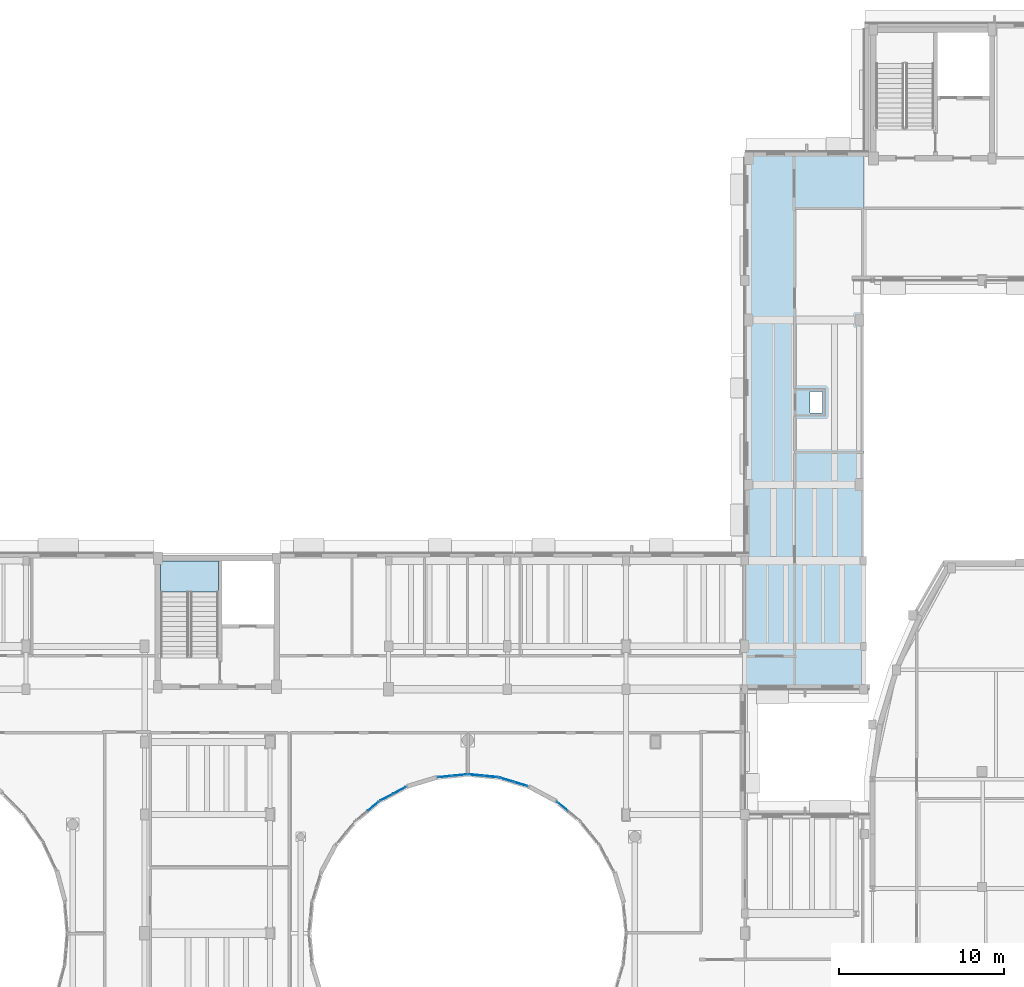
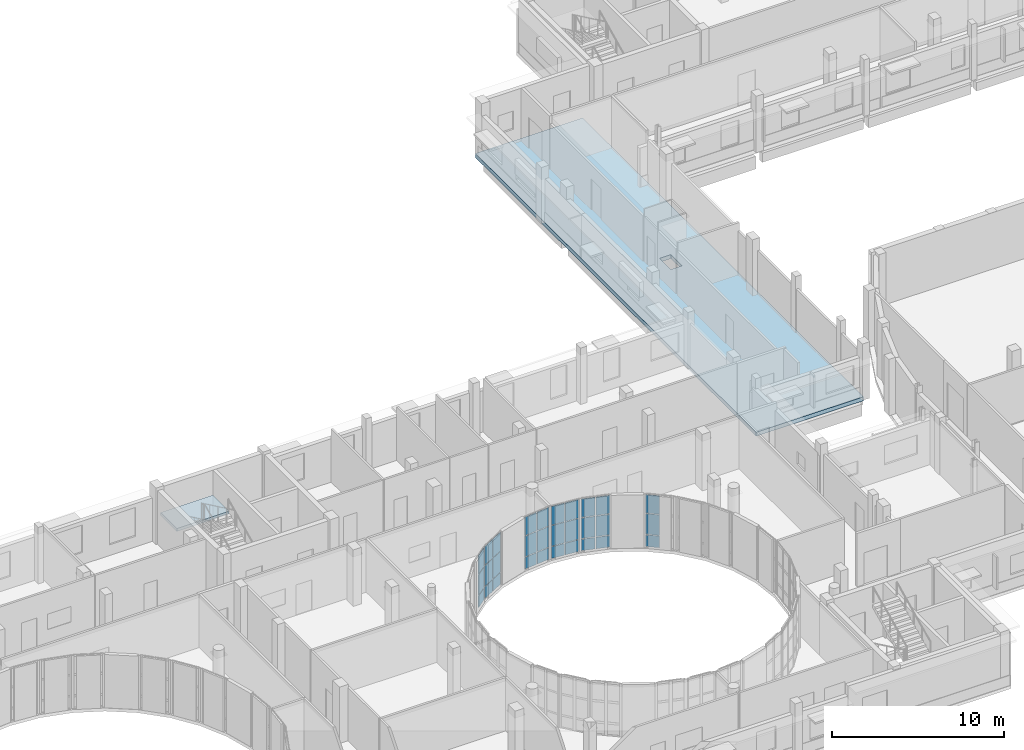
# One storey, part 72 of 105: 30 plates, 2 slabs, 7 elements without a shape of their own.
"""IFC4 building model written with IfcOpenShell, lengths in metres."""

from ifc_helpers import new_model, si_unit, direction, frame, origin, origin_2d, place, context, subcontext, project, spatial, polyline, rectangle, outline, extrude, material, layer, layer_set, type_object, element, aggregate, save


model = new_model("IFC4")

# Units and contexts
model_context = context("Model", 3, precision=1e-05, world=origin(), true_north=direction((0.0, 1.0)))
body_context = subcontext(model_context, "Body", "Model", "MODEL_VIEW")
ifc_project = project(units=[si_unit("LENGTHUNIT", "METRE"), si_unit("AREAUNIT", "SQUARE_METRE"), si_unit("VOLUMEUNIT", "CUBIC_METRE"), si_unit("PLANEANGLEUNIT", "RADIAN"), si_unit("MASSUNIT", "GRAM", prefix="KILO")], contexts=[model_context])

# Site, building, storey
site_placement = place(None, origin())
site = spatial("IfcSite", under=ifc_project, at=site_placement, CompositionType="ELEMENT")
building_placement = place(site_placement, origin())
building = spatial("IfcBuilding", under=site, at=building_placement, Name="Kelanivale Promenade Academy", CompositionType="ELEMENT")
storey_placement = place(building_placement, frame((0.0, 0.0, 4.199951171875)))
storey = spatial("IfcBuildingStorey", under=building, at=storey_placement, Name="L01", CompositionType="ELEMENT", Elevation=4.199951171875)

# Curtain wall, plates
ifc_material_1 = material(Name="Bronze anodised aluminium and solar-control low-E glass", Category="aluminium")
ifc_layer_1 = layer(ifc_material_1, 0.169921875)
ifc_layer_set_1 = layer_set([ifc_layer_1], Name="Bronze anodised aluminium and solar-control low-E glass")
curtain_wall_type_1 = type_object("IfcCurtainWallType", Name="CW-07 Curtain Wall 1350mm Module", PredefinedType="USERDEFINED", material=ifc_layer_set_1)
curtain_wall_1_placement = place(storey_placement, origin())
curtain_wall_1 = element("IfcCurtainWall", 1, at=curtain_wall_1_placement, inside=storey, type_object=curtain_wall_type_1, Name="L01 courtyard curtain wall CW-07", ObjectType="UNITISED GLAZING", PredefinedType="USERDEFINED")
ifc_material_2 = material(Name="Solar-control double glazing 28 mm", Category="glass")
ifc_layer_2 = layer(ifc_material_2, 0.028076171875)
ifc_layer_set_2 = layer_set([ifc_layer_2], Name="Solar-control double glazing 28 mm")
plate_type_1 = type_object("IfcPlateType", Name="CWP-01 Plate 28mm", PredefinedType="CURTAIN_PANEL", material=ifc_layer_set_2)
plate_1_placement = place(storey_placement, frame((104.548583984375, 64.493896484375, 0.05029296875), z_axis=(0.0, 0.0, 1.0), x_axis=(-0.773257170269, 0.634092539482, 0.0)))
plate_1 = element("IfcPlate", 2, at=plate_1_placement, type_object=plate_type_1, Name="CW-07 panel 2.1", PredefinedType="CURTAIN_PANEL", context=body_context, shape_type="SweptSolid", body=[
    extrude(rectangle(XDim=0.825927734375, YDim=0.028076171875, at=origin_2d()), origin(), (0.0, 0.0, 1.0), 0.824951171875),
])
plate_2_placement = place(storey_placement, frame((104.548583984375, 64.493896484375, 0.92529296875), z_axis=(0.0, 0.0, 1.0), x_axis=(-0.773257170269, 0.634092539482, 0.0)))
plate_2 = element("IfcPlate", 3, at=plate_2_placement, type_object=plate_type_1, Name="CW-07 panel 2.2", PredefinedType="CURTAIN_PANEL", context=body_context, shape_type="SweptSolid", body=[
    extrude(rectangle(XDim=0.825927734375, YDim=0.028076171875, at=origin_2d()), origin(), (0.0, 0.0, 1.0), 1.449951171875),
])
plate_3_placement = place(storey_placement, frame((104.548583984375, 64.493896484375, 2.42529296875), z_axis=(0.0, 0.0, 1.0), x_axis=(-0.773257170269, 0.634092539482, 0.0)))
plate_3 = element("IfcPlate", 4, at=plate_3_placement, type_object=plate_type_1, Name="CW-07 panel 2.3", PredefinedType="CURTAIN_PANEL", context=body_context, shape_type="SweptSolid", body=[
    extrude(rectangle(XDim=0.825927734375, YDim=0.028076171875, at=origin_2d()), origin(), (0.0, 0.0, 1.0), 1.304931640625),
])
aggregate(curtain_wall_1, [plate_1, plate_2, plate_3])

ifc_layer_3 = layer(ifc_material_1, 0.169921875)
ifc_layer_set_3 = layer_set([ifc_layer_3], Name="Bronze anodised aluminium and solar-control low-E glass")
curtain_wall_type_2 = type_object("IfcCurtainWallType", Name="CW-10 Curtain Wall 1800mm Module", PredefinedType="USERDEFINED", material=ifc_layer_set_3)
curtain_wall_2_placement = place(storey_placement, origin())
curtain_wall_2 = element("IfcCurtainWall", 5, at=curtain_wall_2_placement, inside=storey, type_object=curtain_wall_type_2, Name="L01 courtyard curtain wall CW-10", ObjectType="UNITISED GLAZING", PredefinedType="USERDEFINED")
plate_4_placement = place(storey_placement, frame((98.3115234375, 66.39208984375, 0.05029296875), z_axis=(0.0, 0.0, 1.0), x_axis=(-0.99513321337, -0.098538762159, 0.0)))
plate_4 = element("IfcPlate", 6, at=plate_4_placement, type_object=plate_type_1, Name="CW-10 panel 1.1", PredefinedType="CURTAIN_PANEL", context=body_context, shape_type="SweptSolid", body=[
    extrude(rectangle(XDim=0.83349609375, YDim=0.028076171875, at=origin_2d()), origin(), (0.0, 0.0, 1.0), 0.824951171875),
])
plate_5_placement = place(storey_placement, frame((98.3115234375, 66.39208984375, 0.92529296875), z_axis=(0.0, 0.0, 1.0), x_axis=(-0.99513321337, -0.098538762159, 0.0)))
plate_5 = element("IfcPlate", 7, at=plate_5_placement, type_object=plate_type_1, Name="CW-10 panel 1.2", PredefinedType="CURTAIN_PANEL", context=body_context, shape_type="SweptSolid", body=[
    extrude(rectangle(XDim=0.83349609375, YDim=0.028076171875, at=origin_2d()), origin(), (0.0, 0.0, 1.0), 1.449951171875),
])
plate_6_placement = place(storey_placement, frame((98.3115234375, 66.39208984375, 2.42529296875), z_axis=(0.0, 0.0, 1.0), x_axis=(-0.99513321337, -0.098538762159, 0.0)))
plate_6 = element("IfcPlate", 8, at=plate_6_placement, type_object=plate_type_1, Name="CW-10 panel 1.3", PredefinedType="CURTAIN_PANEL", context=body_context, shape_type="SweptSolid", body=[
    extrude(rectangle(XDim=0.83349609375, YDim=0.028076171875, at=origin_2d()), origin(), (0.0, 0.0, 1.0), 1.304931640625),
])
plate_7_placement = place(storey_placement, frame((97.42236328125, 66.303955078125, 0.05029296875), z_axis=(0.0, 0.0, 1.0), x_axis=(-0.99513321337, -0.098538762159, 0.0)))
plate_7 = element("IfcPlate", 9, at=plate_7_placement, type_object=plate_type_1, Name="CW-10 panel 2.1", PredefinedType="CURTAIN_PANEL", context=body_context, shape_type="SweptSolid", body=[
    extrude(rectangle(XDim=0.83349609375, YDim=0.028076171875, at=origin_2d()), origin(), (0.0, 0.0, 1.0), 0.824951171875),
])
plate_8_placement = place(storey_placement, frame((97.42236328125, 66.303955078125, 0.92529296875), z_axis=(0.0, 0.0, 1.0), x_axis=(-0.99513321337, -0.098538762159, 0.0)))
plate_8 = element("IfcPlate", 10, at=plate_8_placement, type_object=plate_type_1, Name="CW-10 panel 2.2", PredefinedType="CURTAIN_PANEL", context=body_context, shape_type="SweptSolid", body=[
    extrude(rectangle(XDim=0.83349609375, YDim=0.028076171875, at=origin_2d()), origin(), (0.0, 0.0, 1.0), 1.449951171875),
])
plate_9_placement = place(storey_placement, frame((97.42236328125, 66.303955078125, 2.42529296875), z_axis=(0.0, 0.0, 1.0), x_axis=(-0.99513321337, -0.098538762159, 0.0)))
plate_9 = element("IfcPlate", 11, at=plate_9_placement, type_object=plate_type_1, Name="CW-10 panel 2.3", PredefinedType="CURTAIN_PANEL", context=body_context, shape_type="SweptSolid", body=[
    extrude(rectangle(XDim=0.83349609375, YDim=0.028076171875, at=origin_2d()), origin(), (0.0, 0.0, 1.0), 1.304931640625),
])
aggregate(curtain_wall_2, [plate_4, plate_5, plate_6, plate_7, plate_8, plate_9])

ifc_layer_4 = layer(ifc_material_1, 0.179931640625)
ifc_layer_set_4 = layer_set([ifc_layer_4], Name="Bronze anodised aluminium and solar-control low-E glass")
curtain_wall_type_3 = type_object("IfcCurtainWallType", Name="CW-08 Curtain Wall 1500mm Module", PredefinedType="USERDEFINED", material=ifc_layer_set_4)
curtain_wall_3_placement = place(storey_placement, origin())
curtain_wall_3 = element("IfcCurtainWall", 12, at=curtain_wall_3_placement, inside=storey, type_object=curtain_wall_type_3, Name="L01 courtyard curtain wall CW-08", ObjectType="UNITISED GLAZING", PredefinedType="USERDEFINED")
ifc_material_3 = material(Name="Acoustic laminated double glazing 36 mm", Category="glass")
ifc_layer_5 = layer(ifc_material_3, 0.035888671875)
ifc_layer_set_5 = layer_set([ifc_layer_5], Name="Acoustic laminated double glazing 36 mm")
plate_type_2 = type_object("IfcPlateType", Name="CWP-02 Plate 36mm", PredefinedType="CURTAIN_PANEL", material=ifc_layer_set_5)
plate_10_placement = place(storey_placement, frame((102.00439453125, 65.853759765625, 0.06005859375), z_axis=(0.0, 0.0, 1.0), x_axis=(-0.956987977524, 0.290127576893, 0.0)))
plate_10 = element("IfcPlate", 13, at=plate_10_placement, type_object=plate_type_2, Name="CW-08 panel 1.1", PredefinedType="CURTAIN_PANEL", context=body_context, shape_type="SweptSolid", body=[
    extrude(rectangle(XDim=0.826171875, YDim=0.035888671875, at=origin_2d()), origin(), (0.0, 0.0, 1.0), 0.81005859375),
])
plate_11_placement = place(storey_placement, frame((102.00439453125, 65.853759765625, 0.93017578125), z_axis=(0.0, 0.0, 1.0), x_axis=(-0.956987977524, 0.290127576893, 0.0)))
plate_11 = element("IfcPlate", 14, at=plate_11_placement, type_object=plate_type_2, Name="CW-08 panel 1.2", PredefinedType="CURTAIN_PANEL", context=body_context, shape_type="SweptSolid", body=[
    extrude(rectangle(XDim=0.826171875, YDim=0.035888671875, at=origin_2d()), origin(), (0.0, 0.0, 1.0), 1.43994140625),
])
plate_12_placement = place(storey_placement, frame((102.00439453125, 65.853759765625, 2.429931640625), z_axis=(0.0, 0.0, 1.0), x_axis=(-0.956987977524, 0.290127576893, 0.0)))
plate_12 = element("IfcPlate", 15, at=plate_12_placement, type_object=plate_type_2, Name="CW-08 panel 1.3", PredefinedType="CURTAIN_PANEL", context=body_context, shape_type="SweptSolid", body=[
    extrude(rectangle(XDim=0.826171875, YDim=0.035888671875, at=origin_2d()), origin(), (0.0, 0.0, 1.0), 1.2900390625),
])
plate_13_placement = place(storey_placement, frame((101.151611328125, 66.1123046875, 0.06005859375), z_axis=(0.0, 0.0, 1.0), x_axis=(-0.956987977524, 0.290127576893, 0.0)))
plate_13 = element("IfcPlate", 16, at=plate_13_placement, type_object=plate_type_2, Name="CW-08 panel 2.1", PredefinedType="CURTAIN_PANEL", context=body_context, shape_type="SweptSolid", body=[
    extrude(rectangle(XDim=0.826171875, YDim=0.035888671875, at=origin_2d()), origin(), (0.0, 0.0, 1.0), 0.81005859375),
])
plate_14_placement = place(storey_placement, frame((101.151611328125, 66.1123046875, 0.93017578125), z_axis=(0.0, 0.0, 1.0), x_axis=(-0.956987977524, 0.290127576893, 0.0)))
plate_14 = element("IfcPlate", 17, at=plate_14_placement, type_object=plate_type_2, Name="CW-08 panel 2.2", PredefinedType="CURTAIN_PANEL", context=body_context, shape_type="SweptSolid", body=[
    extrude(rectangle(XDim=0.826171875, YDim=0.035888671875, at=origin_2d()), origin(), (0.0, 0.0, 1.0), 1.43994140625),
])
plate_15_placement = place(storey_placement, frame((101.151611328125, 66.1123046875, 2.429931640625), z_axis=(0.0, 0.0, 1.0), x_axis=(-0.956987977524, 0.290127576893, 0.0)))
plate_15 = element("IfcPlate", 18, at=plate_15_placement, type_object=plate_type_2, Name="CW-08 panel 2.3", PredefinedType="CURTAIN_PANEL", context=body_context, shape_type="SweptSolid", body=[
    extrude(rectangle(XDim=0.826171875, YDim=0.035888671875, at=origin_2d()), origin(), (0.0, 0.0, 1.0), 1.2900390625),
])
aggregate(curtain_wall_3, [plate_10, plate_11, plate_12, plate_13, plate_14, plate_15])

ifc_layer_6 = layer(ifc_material_1, 0.179931640625)
ifc_layer_set_6 = layer_set([ifc_layer_6], Name="Bronze anodised aluminium and solar-control low-E glass")
curtain_wall_type_4 = type_object("IfcCurtainWallType", Name="CW-11 Curtain Wall 1950mm Module", PredefinedType="USERDEFINED", material=ifc_layer_set_6)
curtain_wall_4_placement = place(storey_placement, origin())
curtain_wall_4 = element("IfcCurtainWall", 19, at=curtain_wall_4_placement, inside=storey, type_object=curtain_wall_type_4, Name="L01 courtyard curtain wall CW-11", ObjectType="UNITISED GLAZING", PredefinedType="USERDEFINED")
plate_16_placement = place(storey_placement, frame((94.6640625, 65.467529296875, 0.05029296875), z_axis=(0.0, 0.0, 1.0), x_axis=(-0.881978204448, -0.471290193914, 0.0)))
plate_16 = element("IfcPlate", 20, at=plate_16_placement, type_object=plate_type_2, Name="CW-11 panel 1.1", PredefinedType="CURTAIN_PANEL", context=body_context, shape_type="SweptSolid", body=[
    extrude(rectangle(XDim=0.82666015625, YDim=0.035888671875, at=origin_2d()), origin(), (0.0, 0.0, 1.0), 0.824951171875),
])
plate_17_placement = place(storey_placement, frame((94.6640625, 65.467529296875, 0.92529296875), z_axis=(0.0, 0.0, 1.0), x_axis=(-0.881978204448, -0.471290193914, 0.0)))
plate_17 = element("IfcPlate", 21, at=plate_17_placement, type_object=plate_type_2, Name="CW-11 panel 1.2", PredefinedType="CURTAIN_PANEL", context=body_context, shape_type="SweptSolid", body=[
    extrude(rectangle(XDim=0.82666015625, YDim=0.035888671875, at=origin_2d()), origin(), (0.0, 0.0, 1.0), 1.449951171875),
])
plate_18_placement = place(storey_placement, frame((94.6640625, 65.467529296875, 2.42529296875), z_axis=(0.0, 0.0, 1.0), x_axis=(-0.881978204448, -0.471290193914, 0.0)))
plate_18 = element("IfcPlate", 22, at=plate_18_placement, type_object=plate_type_2, Name="CW-11 panel 1.3", PredefinedType="CURTAIN_PANEL", context=body_context, shape_type="SweptSolid", body=[
    extrude(rectangle(XDim=0.82666015625, YDim=0.035888671875, at=origin_2d()), origin(), (0.0, 0.0, 1.0), 1.304931640625),
])
plate_19_placement = place(storey_placement, frame((93.8779296875, 65.04736328125, 0.05029296875), z_axis=(0.0, 0.0, 1.0), x_axis=(-0.881978204448, -0.471290193914, 0.0)))
plate_19 = element("IfcPlate", 23, at=plate_19_placement, type_object=plate_type_2, Name="CW-11 panel 2.1", PredefinedType="CURTAIN_PANEL", context=body_context, shape_type="SweptSolid", body=[
    extrude(rectangle(XDim=0.82666015625, YDim=0.035888671875, at=origin_2d()), origin(), (0.0, 0.0, 1.0), 0.824951171875),
])
plate_20_placement = place(storey_placement, frame((93.8779296875, 65.04736328125, 0.92529296875), z_axis=(0.0, 0.0, 1.0), x_axis=(-0.881978204448, -0.471290193914, 0.0)))
plate_20 = element("IfcPlate", 24, at=plate_20_placement, type_object=plate_type_2, Name="CW-11 panel 2.2", PredefinedType="CURTAIN_PANEL", context=body_context, shape_type="SweptSolid", body=[
    extrude(rectangle(XDim=0.82666015625, YDim=0.035888671875, at=origin_2d()), origin(), (0.0, 0.0, 1.0), 1.449951171875),
])
plate_21_placement = place(storey_placement, frame((93.8779296875, 65.04736328125, 2.42529296875), z_axis=(0.0, 0.0, 1.0), x_axis=(-0.881978204448, -0.471290193914, 0.0)))
plate_21 = element("IfcPlate", 25, at=plate_21_placement, type_object=plate_type_2, Name="CW-11 panel 2.3", PredefinedType="CURTAIN_PANEL", context=body_context, shape_type="SweptSolid", body=[
    extrude(rectangle(XDim=0.82666015625, YDim=0.035888671875, at=origin_2d()), origin(), (0.0, 0.0, 1.0), 1.304931640625),
])
aggregate(curtain_wall_4, [plate_16, plate_17, plate_18, plate_19, plate_20, plate_21])

ifc_layer_7 = layer(ifc_material_1, 0.159912109375)
ifc_layer_set_7 = layer_set([ifc_layer_7], Name="Bronze anodised aluminium and solar-control low-E glass")
curtain_wall_type_5 = type_object("IfcCurtainWallType", Name="CW-09 Curtain Wall 1650mm Module", PredefinedType="USERDEFINED", material=ifc_layer_set_7)
curtain_wall_5_placement = place(storey_placement, origin())
curtain_wall_5 = element("IfcCurtainWall", 26, at=curtain_wall_5_placement, inside=storey, type_object=curtain_wall_type_5, Name="L01 courtyard curtain wall CW-09", ObjectType="UNITISED GLAZING", PredefinedType="USERDEFINED")
ifc_material_4 = material(Name="Insulated bronze aluminium spandrel panel 44 mm", Category="aluminium")
ifc_layer_8 = layer(ifc_material_4, 0.0439453125)
ifc_layer_set_8 = layer_set([ifc_layer_8], Name="Insulated bronze aluminium spandrel panel 44 mm")
plate_type_3 = type_object("IfcPlateType", Name="CWP-03 Plate 44mm", PredefinedType="CURTAIN_PANEL", material=ifc_layer_set_8)
plate_22_placement = place(storey_placement, frame((100.188720703125, 66.30322265625, 0.05029296875), z_axis=(0.0, 0.0, 1.0), x_axis=(-0.995158737767, 0.098280652454, 0.0)))
plate_22 = element("IfcPlate", 27, at=plate_22_placement, type_object=plate_type_3, Name="CW-09 panel 1.1", PredefinedType="CURTAIN_PANEL", context=body_context, shape_type="SweptSolid", body=[
    extrude(rectangle(XDim=0.841064453125, YDim=0.0439453125, at=origin_2d()), origin(), (0.0, 0.0, 1.0), 0.824951171875),
])
plate_23_placement = place(storey_placement, frame((100.188720703125, 66.30322265625, 0.92529296875), z_axis=(0.0, 0.0, 1.0), x_axis=(-0.995158737767, 0.098280652454, 0.0)))
plate_23 = element("IfcPlate", 28, at=plate_23_placement, type_object=plate_type_3, Name="CW-09 panel 1.2", PredefinedType="CURTAIN_PANEL", context=body_context, shape_type="SweptSolid", body=[
    extrude(rectangle(XDim=0.841064453125, YDim=0.0439453125, at=origin_2d()), origin(), (0.0, 0.0, 1.0), 1.449951171875),
])
plate_24_placement = place(storey_placement, frame((100.188720703125, 66.30322265625, 2.42529296875), z_axis=(0.0, 0.0, 1.0), x_axis=(-0.995158737767, 0.098280652454, 0.0)))
plate_24 = element("IfcPlate", 29, at=plate_24_placement, type_object=plate_type_3, Name="CW-09 panel 1.3", PredefinedType="CURTAIN_PANEL", context=body_context, shape_type="SweptSolid", body=[
    extrude(rectangle(XDim=0.841064453125, YDim=0.0439453125, at=origin_2d()), origin(), (0.0, 0.0, 1.0), 1.304931640625),
])
plate_25_placement = place(storey_placement, frame((99.292236328125, 66.391845703125, 0.05029296875), z_axis=(0.0, 0.0, 1.0), x_axis=(-0.995158737767, 0.098280652454, 0.0)))
plate_25 = element("IfcPlate", 30, at=plate_25_placement, type_object=plate_type_3, Name="CW-09 panel 2.1", PredefinedType="CURTAIN_PANEL", context=body_context, shape_type="SweptSolid", body=[
    extrude(rectangle(XDim=0.841064453125, YDim=0.0439453125, at=origin_2d()), origin(), (0.0, 0.0, 1.0), 0.824951171875),
])
plate_26_placement = place(storey_placement, frame((99.292236328125, 66.391845703125, 0.92529296875), z_axis=(0.0, 0.0, 1.0), x_axis=(-0.995158737767, 0.098280652454, 0.0)))
plate_26 = element("IfcPlate", 31, at=plate_26_placement, type_object=plate_type_3, Name="CW-09 panel 2.2", PredefinedType="CURTAIN_PANEL", context=body_context, shape_type="SweptSolid", body=[
    extrude(rectangle(XDim=0.841064453125, YDim=0.0439453125, at=origin_2d()), origin(), (0.0, 0.0, 1.0), 1.449951171875),
])
plate_27_placement = place(storey_placement, frame((99.292236328125, 66.391845703125, 2.42529296875), z_axis=(0.0, 0.0, 1.0), x_axis=(-0.995158737767, 0.098280652454, 0.0)))
plate_27 = element("IfcPlate", 32, at=plate_27_placement, type_object=plate_type_3, Name="CW-09 panel 2.3", PredefinedType="CURTAIN_PANEL", context=body_context, shape_type="SweptSolid", body=[
    extrude(rectangle(XDim=0.841064453125, YDim=0.0439453125, at=origin_2d()), origin(), (0.0, 0.0, 1.0), 1.304931640625),
])
aggregate(curtain_wall_5, [plate_22, plate_23, plate_24, plate_25, plate_26, plate_27])

ifc_layer_9 = layer(ifc_material_1, 0.159912109375)
ifc_layer_set_9 = layer_set([ifc_layer_9], Name="Bronze anodised aluminium and solar-control low-E glass")
curtain_wall_type_6 = type_object("IfcCurtainWallType", Name="CW-12 Curtain Wall 1200mm Module", PredefinedType="USERDEFINED", material=ifc_layer_set_9)
curtain_wall_6_placement = place(storey_placement, origin())
curtain_wall_6 = element("IfcCurtainWall", 33, at=curtain_wall_6_placement, inside=storey, type_object=curtain_wall_type_6, Name="L01 courtyard curtain wall CW-12", ObjectType="UNITISED GLAZING", PredefinedType="USERDEFINED")
plate_28_placement = place(storey_placement, frame((93.060546875, 64.50146484375, 0.06005859375), z_axis=(0.0, 0.0, 1.0), x_axis=(-0.773215132597, -0.634143799719, 0.0)))
plate_28 = element("IfcPlate", 34, at=plate_28_placement, type_object=plate_type_3, Name="CW-12 panel 1.1", PredefinedType="CURTAIN_PANEL", context=body_context, shape_type="SweptSolid", body=[
    extrude(rectangle(XDim=0.833740234375, YDim=0.0439453125, at=origin_2d()), origin(), (0.0, 0.0, 1.0), 0.81005859375),
])
plate_29_placement = place(storey_placement, frame((93.060546875, 64.50146484375, 0.93017578125), z_axis=(0.0, 0.0, 1.0), x_axis=(-0.773215132597, -0.634143799719, 0.0)))
plate_29 = element("IfcPlate", 35, at=plate_29_placement, type_object=plate_type_3, Name="CW-12 panel 1.2", PredefinedType="CURTAIN_PANEL", context=body_context, shape_type="SweptSolid", body=[
    extrude(rectangle(XDim=0.833740234375, YDim=0.0439453125, at=origin_2d()), origin(), (0.0, 0.0, 1.0), 1.43994140625),
])
plate_30_placement = place(storey_placement, frame((93.060546875, 64.50146484375, 2.429931640625), z_axis=(0.0, 0.0, 1.0), x_axis=(-0.773215132597, -0.634143799719, 0.0)))
plate_30 = element("IfcPlate", 36, at=plate_30_placement, type_object=plate_type_3, Name="CW-12 panel 1.3", PredefinedType="CURTAIN_PANEL", context=body_context, shape_type="SweptSolid", body=[
    extrude(rectangle(XDim=0.833740234375, YDim=0.0439453125, at=origin_2d()), origin(), (0.0, 0.0, 1.0), 1.2900390625),
])
aggregate(curtain_wall_6, [plate_28, plate_29, plate_30])

# Slab
ifc_material_5 = material(Name="Concrete C35/45", Category="concrete")
ifc_layer_10 = layer(ifc_material_5, 0.280029296875)
ifc_layer_set_10 = layer_set([ifc_layer_10], Name="Concrete C35/45")
slab_type_1 = type_object("IfcSlabType", Name="FS-03 Slab 280mm", PredefinedType="FLOOR", material=ifc_layer_set_10)
slab_1_placement = place(storey_placement, frame((0.0, 0.0, -0.280029296875)))
element("IfcSlab", 37, at=slab_1_placement, inside=storey, type_object=slab_type_1, Name="L01 structural slab SLB-L01-V5K", PredefinedType="FLOOR", context=body_context, shape_type="SweptSolid", body=[
    extrude(outline(polyline([(122.800048828125, 71.60009765625), (122.800048828125, 104.199951171875), (115.60009765625, 104.199951171875), (115.60009765625, 71.60009765625), (122.800048828125, 71.60009765625)]), holes=[polyline([(120.320068359375, 89.64990234375), (120.320068359375, 88.35009765625), (119.550048828125, 88.35009765625), (119.550048828125, 89.64990234375), (120.320068359375, 89.64990234375)])]), origin(), (0.0, 0.0, 1.0), 0.280029296875),
])

# Stair, slab
stair_type = type_object("IfcStairType", Name="ST-T02 Protected dog-leg upper-storey stair", PredefinedType="HALF_TURN_STAIR", material=ifc_material_5)
stair_placement = place(storey_placement, origin())
stair = element("IfcStair", 38, at=stair_placement, inside=storey, type_object=stair_type, Name="L01 ST-02", PredefinedType="HALF_TURN_STAIR")
ifc_layer_11 = layer(ifc_material_5, 0.199951171875)
ifc_layer_set_11 = layer_set([ifc_layer_11], Name="Concrete C35/45")
slab_type_2 = type_object("IfcSlabType", Name="LS-01 Slab 200mm", PredefinedType="LANDING", material=ifc_layer_set_11)
slab_2_placement = place(storey_placement, frame((0.0, 0.0, 1.800048828125)))
slab_2 = element("IfcSlab", 39, at=slab_2_placement, type_object=slab_type_2, Name="ST-02 landing 1", PredefinedType="LANDING", context=body_context, shape_type="SweptSolid", body=[
    extrude(outline(polyline([(83.6650390625, 77.5048828125), (83.6650390625, 79.385009765625), (80.1650390625, 79.385009765625), (80.1650390625, 77.5048828125), (83.6650390625, 77.5048828125)])), origin(), (0.0, 0.0, 1.0), 0.199951171875),
])
aggregate(stair, [slab_2])

save(model, "model.ifc")
